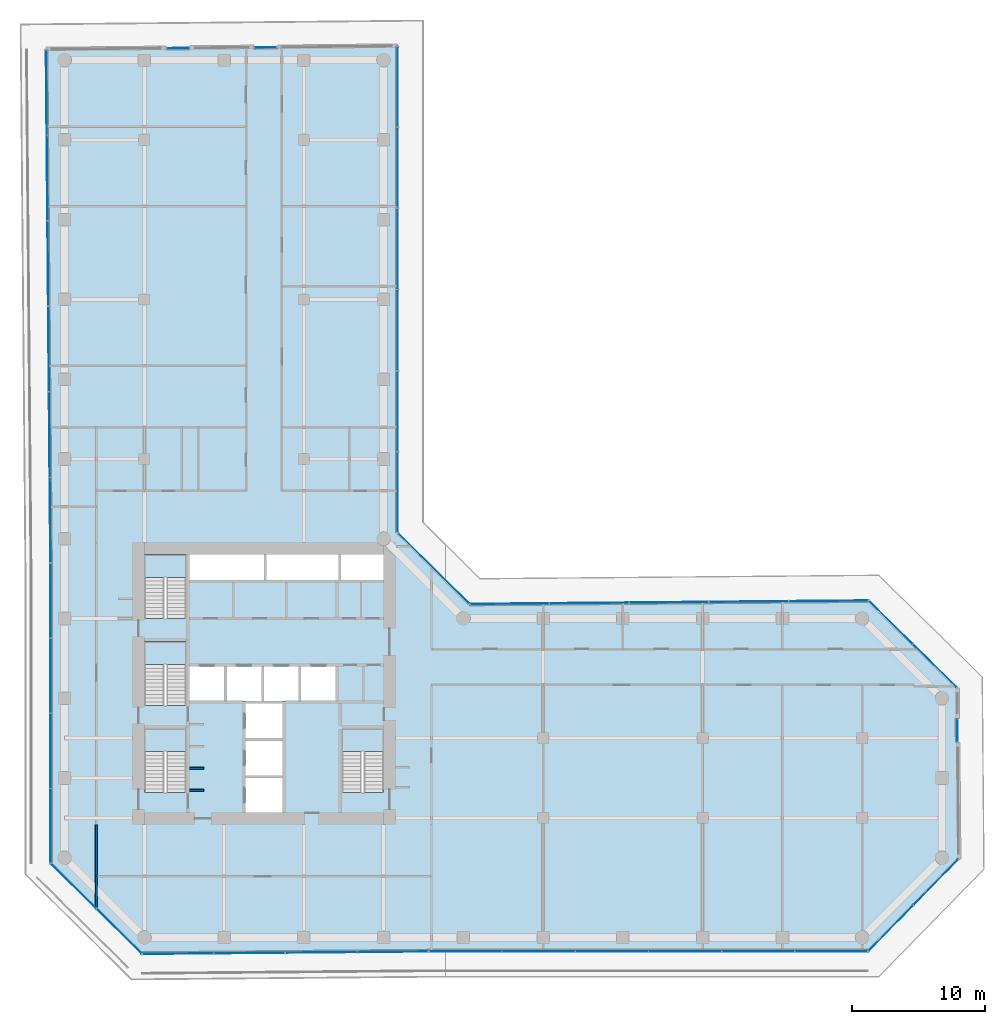
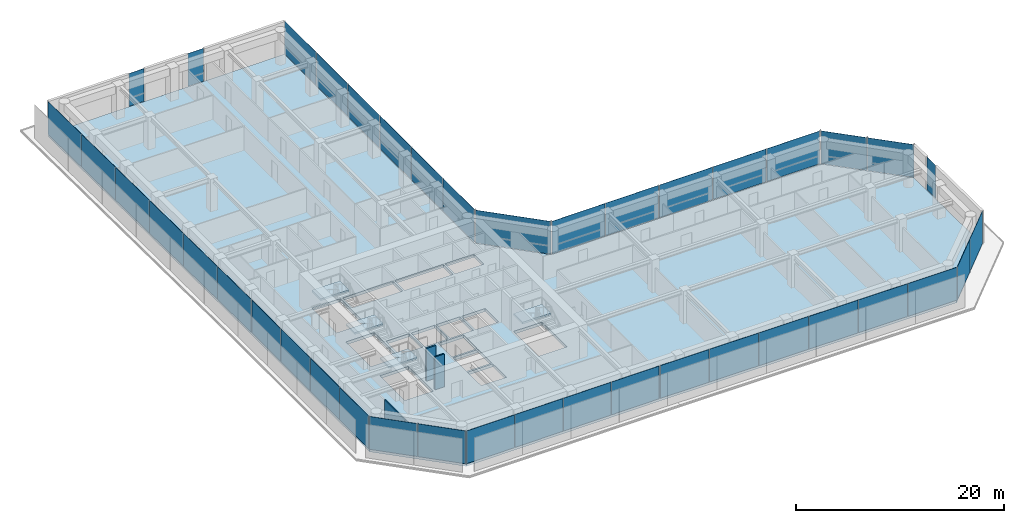
# One storey, part 21 of 28: 41 plates, 5 slabs, 4 walls, 17 elements without a shape of their own.
"""IFC4 building model written with IfcOpenShell, lengths in metres."""

from ifc_helpers import new_model, si_unit, direction, frame, frame_2d, origin, origin_2d, place, context, subcontext, project, spatial, polyline, rectangle, outline, extrude, material, layer, layer_set, type_object, element, aggregate, save


model = new_model("IFC4")

# Units and contexts
model_context = context("Model", 3, precision=1e-05, world=origin(), true_north=direction((0.0, 1.0)))
body_context = subcontext(model_context, "Body", "Model", "MODEL_VIEW")
ifc_project = project(units=[si_unit("LENGTHUNIT", "METRE"), si_unit("AREAUNIT", "SQUARE_METRE"), si_unit("VOLUMEUNIT", "CUBIC_METRE"), si_unit("PLANEANGLEUNIT", "RADIAN"), si_unit("MASSUNIT", "GRAM", prefix="KILO")], contexts=[model_context])

# Site, building, storey
site_placement = place(None, origin())
site = spatial("IfcSite", under=ifc_project, at=site_placement, CompositionType="ELEMENT")
building_placement = place(site_placement, origin())
building = spatial("IfcBuilding", under=site, at=building_placement, Name="Welwitschia Terrace Campus", CompositionType="ELEMENT")
storey_placement = place(building_placement, frame((0.0, 0.0, 54.199951171875)))
storey = spatial("IfcBuildingStorey", under=building, at=storey_placement, Name="L12", CompositionType="ELEMENT", Elevation=54.199951171875)

# Curtain wall, plates
ifc_material_1 = material(Name="Bronze anodised aluminium", Category="aluminium")
ifc_layer_1 = layer(ifc_material_1, 0.1201171875)
ifc_layer_set_1 = layer_set([ifc_layer_1], Name="Bronze anodised aluminium")
curtain_wall_type = type_object("IfcCurtainWallType", Name="Curtain wall CW2 tower 6000", PredefinedType="NOTDEFINED", material=ifc_layer_set_1)
curtain_wall_1_placement = place(storey_placement, origin())
curtain_wall_1 = element("IfcCurtainWall", 1, at=curtain_wall_1_placement, inside=storey, type_object=curtain_wall_type, Name="CW L12.0.0", PredefinedType="NOTDEFINED")
ifc_material_2 = material(Name="Tinted bronze-grey glass", Category="glass")
ifc_layer_2 = layer(ifc_material_2, 0.028076171875)
ifc_layer_set_2 = layer_set([ifc_layer_2], Name="Tinted bronze-grey glass")
plate_type = type_object("IfcPlateType", Name="Glass panel 28 tinted", PredefinedType="CURTAIN_PANEL", material=ifc_layer_set_2)
plate_1_placement = place(storey_placement, frame((-1.366943359375, 59.57373046875, 0.0), z_axis=(0.0, 0.0, 1.0), x_axis=(0.008726535498, -0.999961923064, 0.0)))
plate_1 = element("IfcPlate", 2, at=plate_1_placement, type_object=plate_type, Name="Panel L12.0.0.0", PredefinedType="CURTAIN_PANEL", context=body_context, shape_type="SweptSolid", body=[
    extrude(rectangle(XDim=6.3515625, YDim=0.028076171875, at=origin_2d()), origin(), (0.0, 0.0, 1.0), 3.85009765625),
])
plate_2_placement = place(storey_placement, frame((-1.31103515625, 53.1474609375, 0.0), z_axis=(0.0, 0.0, 1.0), x_axis=(0.008726535498, -0.999961923064, 0.0)))
plate_2 = element("IfcPlate", 3, at=plate_2_placement, type_object=plate_type, Name="Panel L12.0.0.1", PredefinedType="CURTAIN_PANEL", context=body_context, shape_type="SweptSolid", body=[
    extrude(rectangle(XDim=6.381591796875, YDim=0.028076171875, at=origin_2d()), origin(), (0.0, 0.0, 1.0), 3.85009765625),
])
plate_3_placement = place(storey_placement, frame((-1.254638671875, 46.7060546875, 0.0), z_axis=(0.0, 0.0, 1.0), x_axis=(0.008726535498, -0.999961923064, 0.0)))
plate_3 = element("IfcPlate", 4, at=plate_3_placement, type_object=plate_type, Name="Panel L12.0.0.2", PredefinedType="CURTAIN_PANEL", context=body_context, shape_type="SweptSolid", body=[
    extrude(rectangle(XDim=6.381591796875, YDim=0.028076171875, at=origin_2d()), origin(), (0.0, 0.0, 1.0), 3.85009765625),
])
plate_4_placement = place(storey_placement, frame((-1.198486328125, 40.2646484375, 0.0), z_axis=(0.0, 0.0, 1.0), x_axis=(0.008726535498, -0.999961923064, 0.0)))
plate_4 = element("IfcPlate", 5, at=plate_4_placement, type_object=plate_type, Name="Panel L12.0.0.3", PredefinedType="CURTAIN_PANEL", context=body_context, shape_type="SweptSolid", body=[
    extrude(rectangle(XDim=6.381591796875, YDim=0.028076171875, at=origin_2d()), origin(), (0.0, 0.0, 1.0), 3.85009765625),
])
plate_5_placement = place(storey_placement, frame((-1.142333984375, 33.823486328125, 0.0), z_axis=(0.0, 0.0, 1.0), x_axis=(0.008726535498, -0.999961923064, 0.0)))
plate_5 = element("IfcPlate", 6, at=plate_5_placement, type_object=plate_type, Name="Panel L12.0.0.4", PredefinedType="CURTAIN_PANEL", context=body_context, shape_type="SweptSolid", body=[
    extrude(rectangle(XDim=6.381591796875, YDim=0.028076171875, at=origin_2d()), origin(), (0.0, 0.0, 1.0), 3.85009765625),
])
plate_6_placement = place(storey_placement, frame((-1.086181640625, 27.397216796875, 0.0), z_axis=(0.0, 0.0, 1.0), x_axis=(0.008726535498, -0.999961923064, 0.0)))
plate_6 = element("IfcPlate", 7, at=plate_6_placement, type_object=plate_type, Name="Panel L12.0.0.5", PredefinedType="CURTAIN_PANEL", context=body_context, shape_type="SweptSolid", body=[
    extrude(rectangle(XDim=6.3515625, YDim=0.028076171875, at=origin_2d()), origin(), (0.0, 0.0, 1.0), 3.85009765625),
])
aggregate(curtain_wall_1, [plate_1, plate_2, plate_3, plate_4, plate_5, plate_6])

curtain_wall_2_placement = place(storey_placement, origin())
curtain_wall_2 = element("IfcCurtainWall", 8, at=curtain_wall_2_placement, inside=storey, type_object=curtain_wall_type, Name="CW L12.1.0", PredefinedType="NOTDEFINED")
plate_7_placement = place(storey_placement, frame((-1.05810546875, 21.321533203125, 0.0), z_axis=(0.0, 0.0, 1.0), x_axis=(0.0, -1.0, 0.0)))
plate_7 = element("IfcPlate", 9, at=plate_7_placement, type_object=plate_type, Name="Panel L12.1.0.0", PredefinedType="CURTAIN_PANEL", context=body_context, shape_type="SweptSolid", body=[
    extrude(rectangle(XDim=5.56005859375, YDim=0.028076171875, at=origin_2d()), origin(), (0.0, 0.0, 1.0), 3.85009765625),
])
plate_8_placement = place(storey_placement, frame((-1.05810546875, 15.6865234375, 0.0), z_axis=(0.0, 0.0, 1.0), x_axis=(0.0, -1.0, 0.0)))
plate_8 = element("IfcPlate", 10, at=plate_8_placement, type_object=plate_type, Name="Panel L12.1.0.1", PredefinedType="CURTAIN_PANEL", context=body_context, shape_type="SweptSolid", body=[
    extrude(rectangle(XDim=5.590087890625, YDim=0.028076171875, at=origin_2d()), origin(), (0.0, 0.0, 1.0), 3.85009765625),
])
plate_9_placement = place(storey_placement, frame((-1.05810546875, 10.03662109375, 0.0), z_axis=(0.0, 0.0, 1.0), x_axis=(0.0, -1.0, 0.0)))
plate_9 = element("IfcPlate", 11, at=plate_9_placement, type_object=plate_type, Name="Panel L12.1.0.2", PredefinedType="CURTAIN_PANEL", context=body_context, shape_type="SweptSolid", body=[
    extrude(rectangle(XDim=5.590087890625, YDim=0.028076171875, at=origin_2d()), origin(), (0.0, 0.0, 1.0), 3.85009765625),
])
plate_10_placement = place(storey_placement, frame((-1.05810546875, 4.401611328125, 0.0), z_axis=(0.0, 0.0, 1.0), x_axis=(0.0, -1.0, 0.0)))
plate_10 = element("IfcPlate", 12, at=plate_10_placement, type_object=plate_type, Name="Panel L12.1.0.3", PredefinedType="CURTAIN_PANEL", context=body_context, shape_type="SweptSolid", body=[
    extrude(rectangle(XDim=5.56005859375, YDim=0.028076171875, at=origin_2d()), origin(), (0.0, 0.0, 1.0), 3.85009765625),
])
aggregate(curtain_wall_2, [plate_7, plate_8, plate_9, plate_10])

curtain_wall_3_placement = place(storey_placement, origin())
curtain_wall_3 = element("IfcCurtainWall", 13, at=curtain_wall_3_placement, inside=storey, type_object=curtain_wall_type, Name="CW L12.2.0", PredefinedType="NOTDEFINED")
plate_11_placement = place(storey_placement, frame((0.671875, -0.15087890625, 0.0), z_axis=(0.0, 0.0, 1.0), x_axis=(0.710643916774, -0.703551862731, 0.0)))
plate_11 = element("IfcPlate", 14, at=plate_11_placement, type_object=plate_type, Name="Panel L12.2.0.0", PredefinedType="CURTAIN_PANEL", context=body_context, shape_type="SweptSolid", body=[
    extrude(rectangle(XDim=4.748291015625, YDim=0.028076171875, at=origin_2d()), origin(), (0.0, 0.0, 1.0), 3.85009765625),
])
plate_12_placement = place(storey_placement, frame((4.088623046875, -3.53369140625, 0.0), z_axis=(0.0, 0.0, 1.0), x_axis=(0.710643916774, -0.703551862731, 0.0)))
plate_12 = element("IfcPlate", 15, at=plate_12_placement, type_object=plate_type, Name="Panel L12.2.0.1", PredefinedType="CURTAIN_PANEL", context=body_context, shape_type="SweptSolid", body=[
    extrude(rectangle(XDim=4.748291015625, YDim=0.028076171875, at=origin_2d()), origin(), (0.0, 0.0, 1.0), 3.85009765625),
])
aggregate(curtain_wall_3, [plate_11, plate_12])

curtain_wall_4_placement = place(storey_placement, origin())
curtain_wall_4 = element("IfcCurtainWall", 16, at=curtain_wall_4_placement, inside=storey, type_object=curtain_wall_type, Name="CW L12.3.0", PredefinedType="NOTDEFINED")
plate_13_placement = place(storey_placement, frame((8.53076171875, -5.22265625, 0.0), z_axis=(0.0, 0.0, 1.0), x_axis=(0.999961923064, 0.008726535498, 0.0)))
plate_13 = element("IfcPlate", 17, at=plate_13_placement, type_object=plate_type, Name="Panel L12.3.0.0", PredefinedType="CURTAIN_PANEL", context=body_context, shape_type="SweptSolid", body=[
    extrude(rectangle(XDim=5.3046875, YDim=0.028076171875, at=origin_2d()), origin(), (0.0, 0.0, 1.0), 3.85009765625),
])
plate_14_placement = place(storey_placement, frame((13.910400390625, -5.17578125, 0.0), z_axis=(0.0, 0.0, 1.0), x_axis=(0.999961923064, 0.008726535498, 0.0)))
plate_14 = element("IfcPlate", 18, at=plate_14_placement, type_object=plate_type, Name="Panel L12.3.0.1", PredefinedType="CURTAIN_PANEL", context=body_context, shape_type="SweptSolid", body=[
    extrude(rectangle(XDim=5.334716796875, YDim=0.028076171875, at=origin_2d()), origin(), (0.0, 0.0, 1.0), 3.85009765625),
])
plate_15_placement = place(storey_placement, frame((19.3046875, -5.128662109375, 0.0), z_axis=(0.0, 0.0, 1.0), x_axis=(0.999961923064, 0.008726535498, 0.0)))
plate_15 = element("IfcPlate", 19, at=plate_15_placement, type_object=plate_type, Name="Panel L12.3.0.2", PredefinedType="CURTAIN_PANEL", context=body_context, shape_type="SweptSolid", body=[
    extrude(rectangle(XDim=5.334716796875, YDim=0.028076171875, at=origin_2d()), origin(), (0.0, 0.0, 1.0), 3.85009765625),
])
plate_16_placement = place(storey_placement, frame((24.684326171875, -5.081787109375, 0.0), z_axis=(0.0, 0.0, 1.0), x_axis=(0.999961923064, 0.008726535498, 0.0)))
plate_16 = element("IfcPlate", 20, at=plate_16_placement, type_object=plate_type, Name="Panel L12.3.0.3", PredefinedType="CURTAIN_PANEL", context=body_context, shape_type="SweptSolid", body=[
    extrude(rectangle(XDim=5.3046875, YDim=0.028076171875, at=origin_2d()), origin(), (0.0, 0.0, 1.0), 3.85009765625),
])
aggregate(curtain_wall_4, [plate_13, plate_14, plate_15, plate_16])

curtain_wall_5_placement = place(storey_placement, origin())
curtain_wall_5 = element("IfcCurtainWall", 21, at=curtain_wall_5_placement, inside=storey, type_object=curtain_wall_type, Name="CW L12.4.0", PredefinedType="NOTDEFINED")
plate_17_placement = place(storey_placement, frame((30.1650390625, -5.05810546875, 0.0), z_axis=(0.0, 0.0, 1.0), x_axis=(1.0, 0.0, 0.0)))
plate_17 = element("IfcPlate", 22, at=plate_17_placement, type_object=plate_type, Name="Panel L12.4.0.0", PredefinedType="CURTAIN_PANEL", context=body_context, shape_type="SweptSolid", body=[
    extrude(rectangle(XDim=5.4169921875, YDim=0.028076171875, at=origin_2d()), origin(), (0.0, 0.0, 1.0), 3.85009765625),
])
plate_18_placement = place(storey_placement, frame((35.656982421875, -5.05810546875, 0.0), z_axis=(0.0, 0.0, 1.0), x_axis=(1.0, 0.0, 0.0)))
plate_18 = element("IfcPlate", 23, at=plate_18_placement, type_object=plate_type, Name="Panel L12.4.0.1", PredefinedType="CURTAIN_PANEL", context=body_context, shape_type="SweptSolid", body=[
    extrude(rectangle(XDim=5.447021484375, YDim=0.028076171875, at=origin_2d()), origin(), (0.0, 0.0, 1.0), 3.85009765625),
])
plate_19_placement = place(storey_placement, frame((41.1640625, -5.05810546875, 0.0), z_axis=(0.0, 0.0, 1.0), x_axis=(1.0, 0.0, 0.0)))
plate_19 = element("IfcPlate", 24, at=plate_19_placement, type_object=plate_type, Name="Panel L12.4.0.2", PredefinedType="CURTAIN_PANEL", context=body_context, shape_type="SweptSolid", body=[
    extrude(rectangle(XDim=5.447021484375, YDim=0.028076171875, at=origin_2d()), origin(), (0.0, 0.0, 1.0), 3.85009765625),
])
plate_20_placement = place(storey_placement, frame((46.671142578125, -5.05810546875, 0.0), z_axis=(0.0, 0.0, 1.0), x_axis=(1.0, 0.0, 0.0)))
plate_20 = element("IfcPlate", 25, at=plate_20_placement, type_object=plate_type, Name="Panel L12.4.0.3", PredefinedType="CURTAIN_PANEL", context=body_context, shape_type="SweptSolid", body=[
    extrude(rectangle(XDim=5.447021484375, YDim=0.028076171875, at=origin_2d()), origin(), (0.0, 0.0, 1.0), 3.85009765625),
])
plate_21_placement = place(storey_placement, frame((52.177978515625, -5.05810546875, 0.0), z_axis=(0.0, 0.0, 1.0), x_axis=(1.0, 0.0, 0.0)))
plate_21 = element("IfcPlate", 26, at=plate_21_placement, type_object=plate_type, Name="Panel L12.4.0.4", PredefinedType="CURTAIN_PANEL", context=body_context, shape_type="SweptSolid", body=[
    extrude(rectangle(XDim=5.447021484375, YDim=0.028076171875, at=origin_2d()), origin(), (0.0, 0.0, 1.0), 3.85009765625),
])
plate_22_placement = place(storey_placement, frame((57.670166015625, -5.05810546875, 0.0), z_axis=(0.0, 0.0, 1.0), x_axis=(1.0, 0.0, 0.0)))
plate_22 = element("IfcPlate", 27, at=plate_22_placement, type_object=plate_type, Name="Panel L12.4.0.5", PredefinedType="CURTAIN_PANEL", context=body_context, shape_type="SweptSolid", body=[
    extrude(rectangle(XDim=5.4169921875, YDim=0.028076171875, at=origin_2d()), origin(), (0.0, 0.0, 1.0), 3.85009765625),
])
aggregate(curtain_wall_5, [plate_17, plate_18, plate_19, plate_20, plate_21, plate_22])

curtain_wall_6_placement = place(storey_placement, origin())
curtain_wall_6 = element("IfcCurtainWall", 28, at=curtain_wall_6_placement, inside=storey, type_object=curtain_wall_type, Name="CW L12.5.0", PredefinedType="NOTDEFINED")
plate_23_placement = place(storey_placement, frame((62.153076171875, -3.30517578125, 0.0), z_axis=(0.0, 0.0, 1.0), x_axis=(0.699279206786, 0.714848648986, 0.0)))
plate_23 = element("IfcPlate", 29, at=plate_23_placement, type_object=plate_type, Name="Panel L12.5.0.0", PredefinedType="CURTAIN_PANEL", context=body_context, shape_type="SweptSolid", body=[
    extrude(rectangle(XDim=4.78369140625, YDim=0.028076171875, at=origin_2d()), origin(), (0.0, 0.0, 1.0), 3.85009765625),
])
plate_24_placement = place(storey_placement, frame((65.540283203125, 0.1572265625, 0.0), z_axis=(0.0, 0.0, 1.0), x_axis=(0.699279206786, 0.714848648986, 0.0)))
plate_24 = element("IfcPlate", 30, at=plate_24_placement, type_object=plate_type, Name="Panel L12.5.0.1", PredefinedType="CURTAIN_PANEL", context=body_context, shape_type="SweptSolid", body=[
    extrude(rectangle(XDim=4.78369140625, YDim=0.028076171875, at=origin_2d()), origin(), (0.0, 0.0, 1.0), 3.85009765625),
])
aggregate(curtain_wall_6, [plate_23, plate_24])

# Curtain wall, plate
curtain_wall_7_placement = place(storey_placement, origin())
curtain_wall_7 = element("IfcCurtainWall", 31, at=curtain_wall_7_placement, inside=storey, type_object=curtain_wall_type, Name="CW L12.6.S0", PredefinedType="NOTDEFINED")
plate_25_placement = place(storey_placement, frame((67.17041015625, 11.56689453125, 0.0), z_axis=(0.0, 0.0, 1.0), x_axis=(-0.008726535498, 0.999961923064, 0.0)))
plate_25 = element("IfcPlate", 32, at=plate_25_placement, type_object=plate_type, Name="Panel L12.6.S0.0", PredefinedType="CURTAIN_PANEL", context=body_context, shape_type="SweptSolid", body=[
    extrude(rectangle(XDim=1.679931640625, YDim=0.028076171875, at=origin_2d()), origin(), (0.0, 0.0, 1.0), 3.85009765625),
])
aggregate(curtain_wall_7, [plate_25])

# Curtain wall, plates
curtain_wall_8_placement = place(storey_placement, origin())
curtain_wall_8 = element("IfcCurtainWall", 33, at=curtain_wall_8_placement, inside=storey, type_object=curtain_wall_type, Name="CW L12.7.0", PredefinedType="NOTDEFINED")
plate_26_placement = place(storey_placement, frame((65.46240234375, 16.436767578125, 0.0), z_axis=(0.0, 0.0, 1.0), x_axis=(-0.713250449154, 0.7009092643, 0.0)))
plate_26 = element("IfcPlate", 34, at=plate_26_placement, type_object=plate_type, Name="Panel L12.7.0.0", PredefinedType="CURTAIN_PANEL", context=body_context, shape_type="SweptSolid", body=[
    extrude(rectangle(XDim=4.5908203125, YDim=0.028076171875, at=origin_2d()), origin(), (0.0, 0.0, 1.0), 3.85009765625),
])
plate_27_placement = place(storey_placement, frame((62.145263671875, 19.696533203125, 0.0), z_axis=(0.0, 0.0, 1.0), x_axis=(-0.713250449154, 0.7009092643, 0.0)))
plate_27 = element("IfcPlate", 35, at=plate_27_placement, type_object=plate_type, Name="Panel L12.7.0.1", PredefinedType="CURTAIN_PANEL", context=body_context, shape_type="SweptSolid", body=[
    extrude(rectangle(XDim=4.5908203125, YDim=0.028076171875, at=origin_2d()), origin(), (0.0, 0.0, 1.0), 3.85009765625),
])
aggregate(curtain_wall_8, [plate_26, plate_27])

curtain_wall_9_placement = place(storey_placement, origin())
curtain_wall_9 = element("IfcCurtainWall", 36, at=curtain_wall_9_placement, inside=storey, type_object=curtain_wall_type, Name="CW L12.8.0", PredefinedType="NOTDEFINED")
plate_28_placement = place(storey_placement, frame((57.4501953125, 21.3212890625, 0.0), z_axis=(0.0, 0.0, 1.0), x_axis=(-0.999961923064, -0.008726535498, 0.0)))
plate_28 = element("IfcPlate", 37, at=plate_28_placement, type_object=plate_type, Name="Panel L12.8.0.0", PredefinedType="CURTAIN_PANEL", context=body_context, shape_type="SweptSolid", body=[
    extrude(rectangle(XDim=5.909912109375, YDim=0.028076171875, at=origin_2d()), origin(), (0.0, 0.0, 1.0), 3.85009765625),
])
plate_29_placement = place(storey_placement, frame((51.465576171875, 21.26904296875, 0.0), z_axis=(0.0, 0.0, 1.0), x_axis=(-0.999961923064, -0.008726535498, 0.0)))
plate_29 = element("IfcPlate", 38, at=plate_29_placement, type_object=plate_type, Name="Panel L12.8.0.1", PredefinedType="CURTAIN_PANEL", context=body_context, shape_type="SweptSolid", body=[
    extrude(rectangle(XDim=5.93994140625, YDim=0.028076171875, at=origin_2d()), origin(), (0.0, 0.0, 1.0), 3.85009765625),
])
plate_30_placement = place(storey_placement, frame((45.4658203125, 21.216796875, 0.0), z_axis=(0.0, 0.0, 1.0), x_axis=(-0.999961923064, -0.008726535498, 0.0)))
plate_30 = element("IfcPlate", 39, at=plate_30_placement, type_object=plate_type, Name="Panel L12.8.0.2", PredefinedType="CURTAIN_PANEL", context=body_context, shape_type="SweptSolid", body=[
    extrude(rectangle(XDim=5.93994140625, YDim=0.028076171875, at=origin_2d()), origin(), (0.0, 0.0, 1.0), 3.85009765625),
])
plate_31_placement = place(storey_placement, frame((39.466064453125, 21.164306640625, 0.0), z_axis=(0.0, 0.0, 1.0), x_axis=(-0.999961923064, -0.008726535498, 0.0)))
plate_31 = element("IfcPlate", 40, at=plate_31_placement, type_object=plate_type, Name="Panel L12.8.0.3", PredefinedType="CURTAIN_PANEL", context=body_context, shape_type="SweptSolid", body=[
    extrude(rectangle(XDim=5.93994140625, YDim=0.028076171875, at=origin_2d()), origin(), (0.0, 0.0, 1.0), 3.85009765625),
])
plate_32_placement = place(storey_placement, frame((33.481201171875, 21.112060546875, 0.0), z_axis=(0.0, 0.0, 1.0), x_axis=(-0.999961923064, -0.008726535498, 0.0)))
plate_32 = element("IfcPlate", 41, at=plate_32_placement, type_object=plate_type, Name="Panel L12.8.0.4", PredefinedType="CURTAIN_PANEL", context=body_context, shape_type="SweptSolid", body=[
    extrude(rectangle(XDim=5.909912109375, YDim=0.028076171875, at=origin_2d()), origin(), (0.0, 0.0, 1.0), 3.85009765625),
])
aggregate(curtain_wall_9, [plate_28, plate_29, plate_30, plate_31, plate_32])

# Curtain wall, plate
curtain_wall_10_placement = place(storey_placement, origin())
curtain_wall_10 = element("IfcCurtainWall", 42, at=curtain_wall_10_placement, inside=storey, type_object=curtain_wall_type, Name="CW L12.9.0", PredefinedType="NOTDEFINED")
plate_33_placement = place(storey_placement, frame((27.76220703125, 23.76220703125, 0.0), z_axis=(0.0, 0.0, 1.0), x_axis=(-0.710761860861, 0.70343270975, 0.0)))
plate_33 = element("IfcPlate", 43, at=plate_33_placement, type_object=plate_type, Name="Panel L12.9.0.0", PredefinedType="CURTAIN_PANEL", context=body_context, shape_type="SweptSolid", body=[
    extrude(rectangle(XDim=7.4892578125, YDim=0.028076171875, at=origin_2d()), origin(), (0.0, 0.0, 1.0), 3.85009765625),
])
aggregate(curtain_wall_10, [plate_33])

# Curtain wall, plates
curtain_wall_11_placement = place(storey_placement, origin())
curtain_wall_11 = element("IfcCurtainWall", 44, at=curtain_wall_11_placement, inside=storey, type_object=curtain_wall_type, Name="CW L12.10.0", PredefinedType="NOTDEFINED")
plate_34_placement = place(storey_placement, frame((25.05810546875, 29.505126953125, 0.0), z_axis=(0.0, 0.0, 1.0), x_axis=(0.0, 1.0, 0.0)))
plate_34 = element("IfcPlate", 45, at=plate_34_placement, type_object=plate_type, Name="Panel L12.10.0.0", PredefinedType="CURTAIN_PANEL", context=body_context, shape_type="SweptSolid", body=[
    extrude(rectangle(XDim=6.013427734375, YDim=0.028076171875, at=origin_2d()), origin(), (0.0, 0.0, 1.0), 3.85009765625),
])
plate_35_placement = place(storey_placement, frame((25.05810546875, 35.593505859375, 0.0), z_axis=(0.0, 0.0, 1.0), x_axis=(0.0, 1.0, 0.0)))
plate_35 = element("IfcPlate", 46, at=plate_35_placement, type_object=plate_type, Name="Panel L12.10.0.1", PredefinedType="CURTAIN_PANEL", context=body_context, shape_type="SweptSolid", body=[
    extrude(rectangle(XDim=6.04345703125, YDim=0.028076171875, at=origin_2d()), origin(), (0.0, 0.0, 1.0), 3.85009765625),
])
plate_36_placement = place(storey_placement, frame((25.05810546875, 41.69677734375, 0.0), z_axis=(0.0, 0.0, 1.0), x_axis=(0.0, 1.0, 0.0)))
plate_36 = element("IfcPlate", 47, at=plate_36_placement, type_object=plate_type, Name="Panel L12.10.0.2", PredefinedType="CURTAIN_PANEL", context=body_context, shape_type="SweptSolid", body=[
    extrude(rectangle(XDim=6.04345703125, YDim=0.028076171875, at=origin_2d()), origin(), (0.0, 0.0, 1.0), 3.85009765625),
])
plate_37_placement = place(storey_placement, frame((25.05810546875, 47.800048828125, 0.0), z_axis=(0.0, 0.0, 1.0), x_axis=(0.0, 1.0, 0.0)))
plate_37 = element("IfcPlate", 48, at=plate_37_placement, type_object=plate_type, Name="Panel L12.10.0.3", PredefinedType="CURTAIN_PANEL", context=body_context, shape_type="SweptSolid", body=[
    extrude(rectangle(XDim=6.04345703125, YDim=0.028076171875, at=origin_2d()), origin(), (0.0, 0.0, 1.0), 3.85009765625),
])
plate_38_placement = place(storey_placement, frame((25.05810546875, 53.903564453125, 0.0), z_axis=(0.0, 0.0, 1.0), x_axis=(0.0, 1.0, 0.0)))
plate_38 = element("IfcPlate", 49, at=plate_38_placement, type_object=plate_type, Name="Panel L12.10.0.4", PredefinedType="CURTAIN_PANEL", context=body_context, shape_type="SweptSolid", body=[
    extrude(rectangle(XDim=6.04345703125, YDim=0.028076171875, at=origin_2d()), origin(), (0.0, 0.0, 1.0), 3.85009765625),
])
plate_39_placement = place(storey_placement, frame((25.05810546875, 59.991943359375, 0.0), z_axis=(0.0, 0.0, 1.0), x_axis=(0.0, 1.0, 0.0)))
plate_39 = element("IfcPlate", 50, at=plate_39_placement, type_object=plate_type, Name="Panel L12.10.0.5", PredefinedType="CURTAIN_PANEL", context=body_context, shape_type="SweptSolid", body=[
    extrude(rectangle(XDim=6.013427734375, YDim=0.028076171875, at=origin_2d()), origin(), (0.0, 0.0, 1.0), 3.85009765625),
])
aggregate(curtain_wall_11, [plate_34, plate_35, plate_36, plate_37, plate_38, plate_39])

# Curtain wall, plate
curtain_wall_12_placement = place(storey_placement, origin())
curtain_wall_12 = element("IfcCurtainWall", 51, at=curtain_wall_12_placement, inside=storey, type_object=curtain_wall_type, Name="CW L12.11.S0", PredefinedType="NOTDEFINED")
plate_40_placement = place(storey_placement, frame((15.137939453125, 62.965087890625, 0.0), z_axis=(0.0, 0.0, 1.0), x_axis=(-0.99995561049, -0.009422157401, 0.0)))
plate_40 = element("IfcPlate", 52, at=plate_40_placement, type_object=plate_type, Name="Panel L12.11.S0.0", PredefinedType="CURTAIN_PANEL", context=body_context, shape_type="SweptSolid", body=[
    extrude(rectangle(XDim=1.679931640625, YDim=0.028076171875, at=origin_2d()), origin(), (0.0, 0.0, 1.0), 3.85009765625),
])
aggregate(curtain_wall_12, [plate_40])

curtain_wall_13_placement = place(storey_placement, origin())
curtain_wall_13 = element("IfcCurtainWall", 53, at=curtain_wall_13_placement, inside=storey, type_object=curtain_wall_type, Name="CW L12.11.S1", PredefinedType="NOTDEFINED")
plate_41_placement = place(storey_placement, frame((8.524658203125, 62.90283203125, 0.0), z_axis=(0.0, 0.0, 1.0), x_axis=(-0.99995561049, -0.009422157401, 0.0)))
plate_41 = element("IfcPlate", 54, at=plate_41_placement, type_object=plate_type, Name="Panel L12.11.S1.0", PredefinedType="CURTAIN_PANEL", context=body_context, shape_type="SweptSolid", body=[
    extrude(rectangle(XDim=1.679931640625, YDim=0.028076171875, at=origin_2d()), origin(), (0.0, 0.0, 1.0), 3.85009765625),
])
aggregate(curtain_wall_13, [plate_41])

# Stair, slab
ifc_material_3 = material(Name="Concrete C40/50", Category="concrete")
stair_type = type_object("IfcStairType", Name="Stair 24R 175 W1500", PredefinedType="HALF_TURN_STAIR", material=ifc_material_3)
stair_1_placement = place(storey_placement, origin())
stair_1 = element("IfcStair", 55, at=stair_1_placement, inside=storey, type_object=stair_type, Name="L12 Exit stair S1", PredefinedType="HALF_TURN_STAIR")
ifc_material_4 = material(Name="Concrete C40/50", Category="concrete")
ifc_layer_3 = layer(ifc_material_4, 0.199951171875)
ifc_layer_set_3 = layer_set([ifc_layer_3], Name="Concrete C40/50")
slab_type_1 = type_object("IfcSlabType", Name="Stair landing RC", PredefinedType="LANDING", material=ifc_layer_set_3)
slab_1_placement = place(storey_placement, frame((0.0, 0.0, 1.900146484375)))
slab_1 = element("IfcSlab", 56, at=slab_1_placement, type_object=slab_type_1, Name="S1 landing 1", PredefinedType="LANDING", context=body_context, shape_type="SweptSolid", body=[
    extrude(outline(polyline([(9.14990234375, 9.97998046875), (9.14990234375, 11.699951171875), (6.0, 11.699951171875), (6.0, 9.97998046875), (9.14990234375, 9.97998046875)])), origin(), (0.0, 0.0, 1.0), 0.199951171875),
])
aggregate(stair_1, [slab_1])

stair_2_placement = place(storey_placement, origin())
stair_2 = element("IfcStair", 57, at=stair_2_placement, inside=storey, type_object=stair_type, Name="L12 Exit stair S3", PredefinedType="HALF_TURN_STAIR")
slab_2_placement = place(storey_placement, frame((0.0, 0.0, 1.900146484375)))
slab_2 = element("IfcSlab", 58, at=slab_2_placement, type_object=slab_type_1, Name="S3 landing 1", PredefinedType="LANDING", context=body_context, shape_type="SweptSolid", body=[
    extrude(outline(polyline([(9.14990234375, 16.530029296875), (9.14990234375, 18.25), (6.0, 18.25), (6.0, 16.530029296875), (9.14990234375, 16.530029296875)])), origin(), (0.0, 0.0, 1.0), 0.199951171875),
])
aggregate(stair_2, [slab_2])

stair_3_placement = place(storey_placement, origin())
stair_3 = element("IfcStair", 59, at=stair_3_placement, inside=storey, type_object=stair_type, Name="L12 Exit stair S4", PredefinedType="HALF_TURN_STAIR")
slab_3_placement = place(storey_placement, frame((0.0, 0.0, 1.900146484375)))
slab_3 = element("IfcSlab", 60, at=slab_3_placement, type_object=slab_type_1, Name="S4 landing 1", PredefinedType="LANDING", context=body_context, shape_type="SweptSolid", body=[
    extrude(outline(polyline([(9.14990234375, 23.080078125), (9.14990234375, 24.800048828125), (6.0, 24.800048828125), (6.0, 23.080078125), (9.14990234375, 23.080078125)])), origin(), (0.0, 0.0, 1.0), 0.199951171875),
])
aggregate(stair_3, [slab_3])

stair_4_placement = place(storey_placement, origin())
stair_4 = element("IfcStair", 61, at=stair_4_placement, inside=storey, type_object=stair_type, Name="L12 Exit stair S2", PredefinedType="HALF_TURN_STAIR")
slab_4_placement = place(storey_placement, frame((0.0, 0.0, 1.900146484375)))
slab_4 = element("IfcSlab", 62, at=slab_4_placement, type_object=slab_type_1, Name="S2 landing 1", PredefinedType="LANDING", context=body_context, shape_type="SweptSolid", body=[
    extrude(outline(polyline([(24.0, 9.97998046875), (24.0, 11.699951171875), (20.85009765625, 11.699951171875), (20.85009765625, 9.97998046875), (24.0, 9.97998046875)])), origin(), (0.0, 0.0, 1.0), 0.199951171875),
])
aggregate(stair_4, [slab_4])

# Slab
ifc_material_5 = material(Name="Concrete C40/50", Category="concrete")
ifc_layer_4 = layer(ifc_material_5, 0.35009765625)
ifc_layer_set_4 = layer_set([ifc_layer_4], Name="Concrete C40/50")
slab_type_2 = type_object("IfcSlabType", Name="Suspended floor slab 350", PredefinedType="FLOOR", material=ifc_layer_set_4)
slab_5_placement = place(storey_placement, frame((0.0, 0.0, -0.349853515625)))
element("IfcSlab", 63, at=slab_5_placement, inside=storey, type_object=slab_type_2, Name="Floor slab L12", PredefinedType="FLOOR", context=body_context, shape_type="SweptSolid", body=[
    extrude(outline(polyline([(25.0, 63.0), (25.0, 26.414306640625), (30.44287109375, 21.027587890625), (60.441650390625, 21.289306640625), (67.084716796875, 14.76123046875), (67.196533203125, 1.933349609375), (60.414306640625, -5.0), (27.396240234375, -5.0), (5.84228515625, -5.18798828125), (-1.0, 1.585693359375), (-1.0, 24.161865234375), (-1.336669921875, 62.751953125), (25.0, 63.0)]), holes=[polyline([(13.60009765625, 8.0), (13.60009765625, 5.39990234375), (16.39990234375, 5.39990234375), (16.39990234375, 8.0), (13.60009765625, 8.0)]), polyline([(9.14990234375, 11.699951171875), (6.0, 11.699951171875), (6.0, 6.902099609375), (9.14990234375, 6.902099609375), (9.14990234375, 11.699951171875)]), polyline([(12.0, 16.39990234375), (9.39990234375, 16.39990234375), (9.39990234375, 13.800048828125), (12.0, 13.800048828125), (12.0, 16.39990234375)]), polyline([(14.800048828125, 16.39990234375), (12.199951171875, 16.39990234375), (12.199951171875, 13.800048828125), (14.800048828125, 13.800048828125), (14.800048828125, 16.39990234375)]), polyline([(9.14990234375, 18.25), (6.0, 18.25), (6.0, 13.451904296875), (9.14990234375, 13.451904296875), (9.14990234375, 18.25)]), polyline([(9.14990234375, 24.800048828125), (6.0, 24.800048828125), (6.0, 20.001953125), (9.14990234375, 20.001953125), (9.14990234375, 24.800048828125)]), polyline([(15.0, 24.800048828125), (9.39990234375, 24.800048828125), (9.39990234375, 22.89990234375), (15.0, 22.89990234375), (15.0, 24.800048828125)]), polyline([(20.85009765625, 11.699951171875), (20.85009765625, 6.902099609375), (24.0, 6.902099609375), (24.0, 11.699951171875), (20.85009765625, 11.699951171875)]), polyline([(16.39990234375, 10.800048828125), (13.60009765625, 10.800048828125), (13.60009765625, 8.199951171875), (16.39990234375, 8.199951171875), (16.39990234375, 10.800048828125)]), polyline([(16.39990234375, 13.60009765625), (13.60009765625, 13.60009765625), (13.60009765625, 11.0), (16.39990234375, 11.0), (16.39990234375, 13.60009765625)]), polyline([(17.60009765625, 16.39990234375), (15.0, 16.39990234375), (15.0, 13.800048828125), (17.60009765625, 13.800048828125), (17.60009765625, 16.39990234375)]), polyline([(20.39990234375, 16.39990234375), (17.800048828125, 16.39990234375), (17.800048828125, 13.800048828125), (20.39990234375, 13.800048828125), (20.39990234375, 16.39990234375)]), polyline([(20.60009765625, 24.800048828125), (15.199951171875, 24.800048828125), (15.199951171875, 22.89990234375), (20.60009765625, 22.89990234375), (20.60009765625, 24.800048828125)]), polyline([(24.0, 24.800048828125), (20.800048828125, 24.800048828125), (20.800048828125, 22.89990234375), (24.0, 22.89990234375), (24.0, 24.800048828125)])]), origin(), (0.0, 0.0, 1.0), 0.349853515625),
])

# Walls
ifc_material_6 = material(Name="Concrete C50/60", Category="concrete")
ifc_layer_5 = layer(ifc_material_6, 0.14990234375)
ifc_layer_set_5 = layer_set([ifc_layer_5], Name="Concrete C50/60")
wall_type_1 = type_object("IfcWallType", Name="Core wall 150 Concrete C50/60", PredefinedType="SHEAR", material=ifc_layer_set_5)
for number, where, z_axis, x_axis, name in (
    (64, (9.39990234375, 7.074951171875, 0.0), (0.0, 0.0, 1.0), (1.0, 0.0, 0.0), "Core wall"),
    (65, (9.39990234375, 8.72509765625, 0.0), (0.0, 0.0, 1.0), (1.0, 0.0, 0.0), "Core wall"),
):
    element("IfcWall", number, at=place(storey_placement, frame(where, z_axis=z_axis, x_axis=x_axis)), inside=storey, type_object=wall_type_1, Name=name, PredefinedType="SHEAR", context=body_context, shape_type="SweptSolid", body=[
        extrude(rectangle(XDim=1.050048828125, YDim=0.14990234375, at=frame_2d((0.52490234375, 0.0))), origin(), (0.0, 0.0, 1.0), 3.85009765625),
    ])
ifc_material_7 = material(Name="Gypsum board on steel studs", Category="steel")
ifc_layer_6 = layer(ifc_material_7, 0.14990234375)
ifc_layer_set_6 = layer_set([ifc_layer_6], Name="Gypsum board on steel studs")
wall_type_2 = type_object("IfcWallType", Name="Corridor partition 150 EI 30", PredefinedType="PARTITIONING", material=ifc_layer_set_6)
wall_1_placement = place(storey_placement, frame((2.39990234375, -1.77734375, 0.0), z_axis=(0.0, 0.0, 1.0), x_axis=(0.0, 1.0, 0.0)))
element("IfcWall", 66, at=wall_1_placement, inside=storey, type_object=wall_type_2, Name="Partition", PredefinedType="PARTITIONING", context=body_context, shape_type="SweptSolid", body=[
    extrude(rectangle(XDim=2.37744140625, YDim=0.14990234375, at=frame_2d((1.188720703125, 0.0))), origin(), (0.0, 0.0, 1.0), 2.830078125),
])
wall_2_placement = place(storey_placement, frame((2.39990234375, 0.60009765625, 0.0), z_axis=(0.0, 0.0, 1.0), x_axis=(0.0, 1.0, 0.0)))
element("IfcWall", 67, at=wall_2_placement, inside=storey, type_object=wall_type_2, Name="Partition", PredefinedType="PARTITIONING", context=body_context, shape_type="SweptSolid", body=[
    extrude(rectangle(XDim=3.89990234375, YDim=0.14990234375, at=frame_2d((1.949951171875, 0.0))), origin(), (0.0, 0.0, 1.0), 2.830078125),
])

save(model, "model.ifc")
